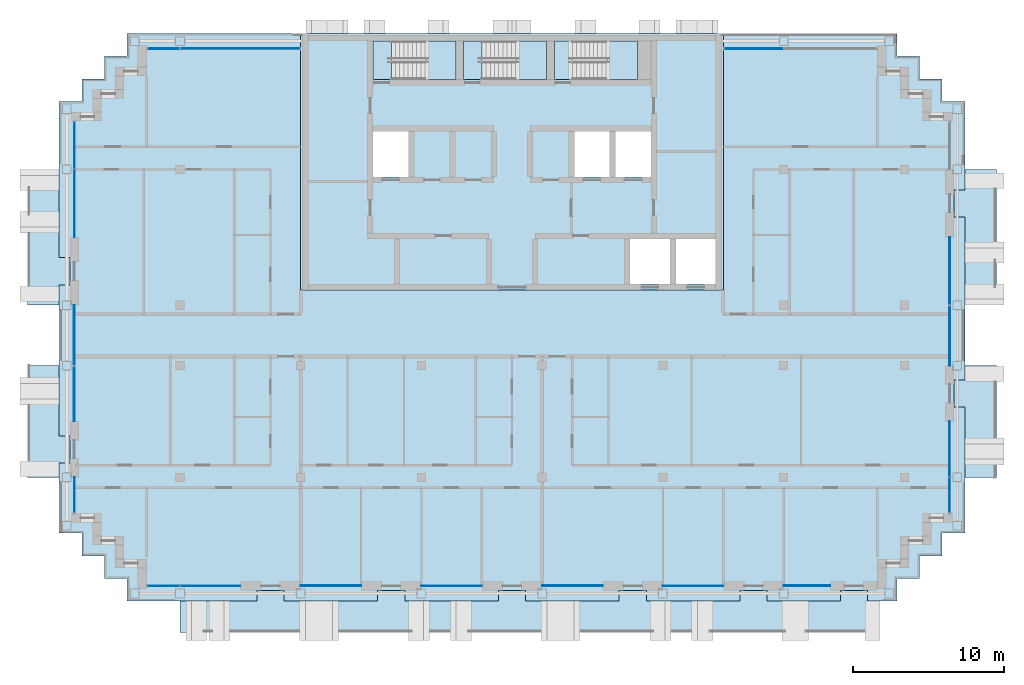
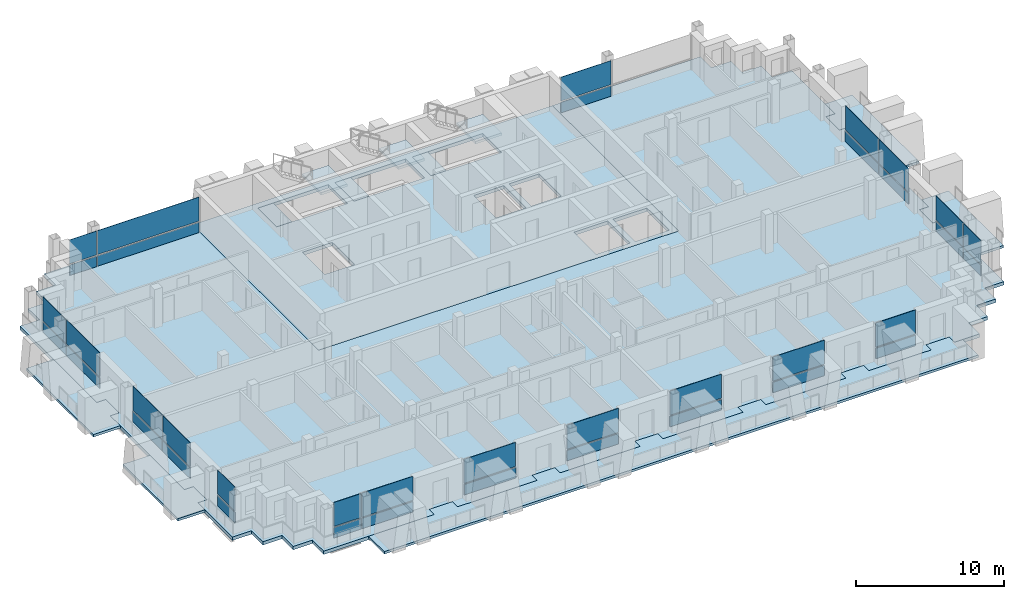
# One storey, part 6 of 15: 38 plates, 13 slabs, 16 elements without a shape of their own.
"""IFC4 building model written with IfcOpenShell, lengths in metres."""

from ifc_helpers import new_model, si_unit, direction, frame, origin, origin_2d, place, context, subcontext, project, spatial, polyline, rectangle, outline, extrude, material, layer, layer_set, type_object, element, aggregate, save


model = new_model("IFC4")

# Units and contexts
model_context = context("Model", 3, precision=1e-05, world=origin(), true_north=direction((0.0, 1.0)))
body_context = subcontext(model_context, "Body", "Model", "MODEL_VIEW")
ifc_project = project(units=[si_unit("LENGTHUNIT", "METRE"), si_unit("AREAUNIT", "SQUARE_METRE"), si_unit("VOLUMEUNIT", "CUBIC_METRE"), si_unit("PLANEANGLEUNIT", "RADIAN"), si_unit("MASSUNIT", "GRAM", prefix="KILO")], contexts=[model_context])

# Site, building, storey
site_placement = place(None, origin())
site = spatial("IfcSite", under=ifc_project, at=site_placement, CompositionType="ELEMENT")
building_placement = place(site_placement, origin())
building = spatial("IfcBuilding", under=site, at=building_placement, Name="Vidyagriha Tower", CompositionType="ELEMENT")
storey_placement = place(building_placement, frame((0.0, 0.0, 233.199951171875)))
storey = spatial("IfcBuildingStorey", under=building, at=storey_placement, Name="L61", CompositionType="ELEMENT", Elevation=233.199951171875)

# Curtain wall, plate
ifc_material_1 = material(Name="Aluminium and glass curtain wall", Category="aluminium")
curtain_wall_type = type_object("IfcCurtainWallType", Name="Dwelling skin unitised curtain wall", PredefinedType="USERDEFINED", material=ifc_material_1)
curtain_wall_1_placement = place(storey_placement, origin())
curtain_wall_1 = element("IfcCurtainWall", 1, at=curtain_wall_1_placement, inside=storey, type_object=curtain_wall_type, Name="CW1 dwelling skin", ObjectType="UNITISED", PredefinedType="USERDEFINED")
ifc_material_2 = material(Name="Glass dark ceramic-fritted spandrel", Category="glass")
ifc_layer_1 = layer(ifc_material_2, 0.0400390625)
ifc_layer_set_1 = layer_set([ifc_layer_1], Name="Glass dark ceramic-fritted spandrel")
plate_type_1 = type_object("IfcPlateType", Name="Ceramic-fritted spandrel panel", PredefinedType="CURTAIN_PANEL", material=ifc_layer_set_1)
plate_1_placement = place(storey_placement, frame((-18.017578125, 19.0, 0.0), z_axis=(0.0, 0.0, 1.0), x_axis=(-1.0, 0.0, 0.0)))
plate_1 = element("IfcPlate", 2, at=plate_1_placement, type_object=plate_type_1, Name="CW1 panel 1.1", PredefinedType="CURTAIN_PANEL", context=body_context, shape_type="SweptSolid", body=[
    extrude(rectangle(XDim=7.89501953125, YDim=0.0400390625, at=origin_2d()), origin(), (0.0, 0.0, 1.0), 0.85009765625),
])

# Curtain wall, plates
curtain_wall_2_placement = place(storey_placement, origin())
curtain_wall_2 = element("IfcCurtainWall", 3, at=curtain_wall_2_placement, inside=storey, type_object=curtain_wall_type, Name="CW1 dwelling skin", ObjectType="UNITISED", PredefinedType="USERDEFINED")
plate_2_placement = place(storey_placement, frame((-29.0, 12.58251953125, 0.0), z_axis=(0.0, 0.0, 1.0), x_axis=(0.0, -1.0, 0.0)))
plate_2 = element("IfcPlate", 4, at=plate_2_placement, type_object=plate_type_1, Name="CW1 panel 1.1", PredefinedType="CURTAIN_PANEL", context=body_context, shape_type="SweptSolid", body=[
    extrude(rectangle(XDim=3.094970703125, YDim=0.0400390625, at=origin_2d()), origin(), (0.0, 0.0, 1.0), 0.85009765625),
])
plate_3_placement = place(storey_placement, frame((-29.0, 8.732421875, 0.0), z_axis=(0.0, 0.0, 1.0), x_axis=(0.0, -1.0, 0.0)))
plate_3 = element("IfcPlate", 5, at=plate_3_placement, type_object=plate_type_1, Name="CW1 panel 2.1", PredefinedType="CURTAIN_PANEL", context=body_context, shape_type="SweptSolid", body=[
    extrude(rectangle(XDim=4.465087890625, YDim=0.0400390625, at=origin_2d()), origin(), (0.0, 0.0, 1.0), 0.85009765625),
])

# Curtain wall, plate
curtain_wall_3_placement = place(storey_placement, origin())
curtain_wall_3 = element("IfcCurtainWall", 6, at=curtain_wall_3_placement, inside=storey, type_object=curtain_wall_type, Name="CW1 dwelling skin", ObjectType="UNITISED", PredefinedType="USERDEFINED")
plate_4_placement = place(storey_placement, frame((-29.0, -10.56494140625, 0.0), z_axis=(0.0, 0.0, 1.0), x_axis=(0.0, -1.0, 0.0)))
plate_4 = element("IfcPlate", 7, at=plate_4_placement, type_object=plate_type_1, Name="CW1 panel 1.1", PredefinedType="CURTAIN_PANEL", context=body_context, shape_type="SweptSolid", body=[
    extrude(rectangle(XDim=2.330078125, YDim=0.0400390625, at=origin_2d()), origin(), (0.0, 0.0, 1.0), 0.85009765625),
])

# Curtain wall, plates
curtain_wall_4_placement = place(storey_placement, origin())
curtain_wall_4 = element("IfcCurtainWall", 8, at=curtain_wall_4_placement, inside=storey, type_object=curtain_wall_type, Name="CW1 dwelling skin", ObjectType="UNITISED", PredefinedType="USERDEFINED")
plate_5_placement = place(storey_placement, frame((-23.08251953125, -16.60009765625, 0.0)))
plate_5 = element("IfcPlate", 9, at=plate_5_placement, type_object=plate_type_1, Name="CW1 panel 1.1", PredefinedType="CURTAIN_PANEL", context=body_context, shape_type="SweptSolid", body=[
    extrude(rectangle(XDim=2.094970703125, YDim=0.0400390625, at=origin_2d()), origin(), (0.0, 0.0, 1.0), 0.85009765625),
])
plate_6_placement = place(storey_placement, frame((-19.982421875, -16.60009765625, 0.0)))
plate_6 = element("IfcPlate", 10, at=plate_6_placement, type_object=plate_type_1, Name="CW1 panel 2.1", PredefinedType="CURTAIN_PANEL", context=body_context, shape_type="SweptSolid", body=[
    extrude(rectangle(XDim=3.965087890625, YDim=0.0400390625, at=origin_2d()), origin(), (0.0, 0.0, 1.0), 0.85009765625),
])

# Curtain wall, plate
curtain_wall_5_placement = place(storey_placement, origin())
curtain_wall_5 = element("IfcCurtainWall", 11, at=curtain_wall_5_placement, inside=storey, type_object=curtain_wall_type, Name="CW1 dwelling skin", ObjectType="UNITISED", PredefinedType="USERDEFINED")
plate_7_placement = place(storey_placement, frame((-4.0, -16.60009765625, 0.0)))
plate_7 = element("IfcPlate", 12, at=plate_7_placement, type_object=plate_type_1, Name="CW1 panel 1.1", PredefinedType="CURTAIN_PANEL", context=body_context, shape_type="SweptSolid", body=[
    extrude(rectangle(XDim=4.0, YDim=0.0400390625, at=origin_2d()), origin(), (0.0, 0.0, 1.0), 0.85009765625),
])

curtain_wall_6_placement = place(storey_placement, origin())
curtain_wall_6 = element("IfcCurtainWall", 13, at=curtain_wall_6_placement, inside=storey, type_object=curtain_wall_type, Name="CW1 dwelling skin", ObjectType="UNITISED", PredefinedType="USERDEFINED")
plate_8_placement = place(storey_placement, frame((12.0, -16.60009765625, 0.0)))
plate_8 = element("IfcPlate", 14, at=plate_8_placement, type_object=plate_type_1, Name="CW1 panel 1.1", PredefinedType="CURTAIN_PANEL", context=body_context, shape_type="SweptSolid", body=[
    extrude(rectangle(XDim=4.0, YDim=0.0400390625, at=origin_2d()), origin(), (0.0, 0.0, 1.0), 0.85009765625),
])

# Curtain wall, plates
curtain_wall_7_placement = place(storey_placement, origin())
curtain_wall_7 = element("IfcCurtainWall", 15, at=curtain_wall_7_placement, inside=storey, type_object=curtain_wall_type, Name="CW1 dwelling skin", ObjectType="UNITISED", PredefinedType="USERDEFINED")
plate_9_placement = place(storey_placement, frame((29.0, -10.58251953125, 0.0), z_axis=(0.0, 0.0, 1.0), x_axis=(0.0, 1.0, 0.0)))
plate_9 = element("IfcPlate", 16, at=plate_9_placement, type_object=plate_type_1, Name="CW1 panel 1.1", PredefinedType="CURTAIN_PANEL", context=body_context, shape_type="SweptSolid", body=[
    extrude(rectangle(XDim=2.294921875, YDim=0.0400390625, at=origin_2d()), origin(), (0.0, 0.0, 1.0), 0.85009765625),
])
plate_10_placement = place(storey_placement, frame((29.0, -7.532470703125, 0.0), z_axis=(0.0, 0.0, 1.0), x_axis=(0.0, 1.0, 0.0)))
plate_10 = element("IfcPlate", 17, at=plate_10_placement, type_object=plate_type_1, Name="CW1 panel 2.1", PredefinedType="CURTAIN_PANEL", context=body_context, shape_type="SweptSolid", body=[
    extrude(rectangle(XDim=3.6650390625, YDim=0.0400390625, at=origin_2d()), origin(), (0.0, 0.0, 1.0), 0.85009765625),
])

# Slab
ifc_material_3 = material(Name="Concrete C60/75", Category="concrete")
ifc_layer_2 = layer(ifc_material_3, 0.280029296875)
ifc_layer_set_2 = layer_set([ifc_layer_2], Name="Concrete C60/75")
slab_type_1 = type_object("IfcSlabType", Name="Core floor slab 280 mm", PredefinedType="FLOOR", material=ifc_layer_set_2)
slab_1_placement = place(storey_placement, frame((0.0, 0.0, -0.280029296875)))
element("IfcSlab", 18, at=slab_1_placement, inside=storey, type_object=slab_type_1, Name="L61 core floor 1", PredefinedType="FLOOR", context=body_context, shape_type="SweptSolid", body=[
    extrude(outline(polyline([(-14.0, 3.0), (-14.0, 20.0), (14.0, 20.0), (14.0, 3.0), (-14.0, 3.0)]), holes=[polyline([(13.5, 6.39990234375), (10.855712890625, 6.39990234375), (10.855712890625, 3.39990234375), (13.5, 3.39990234375), (13.5, 6.39990234375)]), polyline([(10.45556640625, 6.39990234375), (7.81103515625, 6.39990234375), (7.81103515625, 3.39990234375), (10.45556640625, 3.39990234375), (10.45556640625, 6.39990234375)]), polyline([(9.199951171875, 13.5), (6.86669921875, 13.5), (6.86669921875, 10.5), (9.199951171875, 10.5), (9.199951171875, 13.5)]), polyline([(2.800048828125, 19.5), (2.800048828125, 16.949951171875), (4.0, 16.949951171875), (8.300048828125, 16.949951171875), (8.300048828125, 19.5), (4.0, 19.5), (2.800048828125, 19.5)]), polyline([(4.13330078125, 13.5), (4.13330078125, 10.5), (6.466796875, 10.5), (6.466796875, 13.5), (4.13330078125, 13.5)]), polyline([(-2.0, 19.5), (-3.199951171875, 19.5), (-3.199951171875, 16.949951171875), (-2.0, 16.949951171875), (2.300048828125, 16.949951171875), (2.300048828125, 19.5), (-2.0, 19.5)]), polyline([(-9.199951171875, 19.5), (-9.199951171875, 16.949951171875), (-8.0, 16.949951171875), (-3.699951171875, 16.949951171875), (-3.699951171875, 19.5), (-8.0, 19.5), (-9.199951171875, 19.5)]), polyline([(-9.199951171875, 13.5), (-9.199951171875, 10.5), (-6.86669921875, 10.5), (-6.86669921875, 13.5), (-9.199951171875, 13.5)])]), origin(), (0.0, 0.0, 1.0), 0.280029296875),
])

# Curtain wall, plate
curtain_wall_8_placement = place(storey_placement, origin())
curtain_wall_8 = element("IfcCurtainWall", 19, at=curtain_wall_8_placement, inside=storey, type_object=curtain_wall_type, Name="CW1 dwelling skin", ObjectType="UNITISED", PredefinedType="USERDEFINED")
ifc_material_4 = material(Name="Glass dark ceramic-fritted", Category="glass")
ifc_layer_3 = layer(ifc_material_4, 0.028076171875)
ifc_layer_set_3 = layer_set([ifc_layer_3], Name="Glass dark ceramic-fritted")
plate_type_2 = type_object("IfcPlateType", Name="Dark ceramic-fritted vision glass panel", PredefinedType="CURTAIN_PANEL", material=ifc_layer_set_3)
plate_11_placement = place(storey_placement, frame((16.017578125, 19.0, 0.9501953125), z_axis=(0.0, 0.0, 1.0), x_axis=(-1.0, 0.0, 0.0)))
plate_11 = element("IfcPlate", 20, at=plate_11_placement, type_object=plate_type_2, Name="CW1 panel 2.2", PredefinedType="CURTAIN_PANEL", context=body_context, shape_type="SweptSolid", body=[
    extrude(rectangle(XDim=3.89501953125, YDim=0.028076171875, at=origin_2d()), origin(), (0.0, 0.0, 1.0), 1.969970703125),
])

# Plate
plate_12_placement = place(storey_placement, frame((-18.017578125, 19.0, 0.9501953125), z_axis=(0.0, 0.0, 1.0), x_axis=(-1.0, 0.0, 0.0)))
plate_12 = element("IfcPlate", 21, at=plate_12_placement, type_object=plate_type_2, Name="CW1 panel 1.2", PredefinedType="CURTAIN_PANEL", context=body_context, shape_type="SweptSolid", body=[
    extrude(rectangle(XDim=7.89501953125, YDim=0.028076171875, at=origin_2d()), origin(), (0.0, 0.0, 1.0), 1.969970703125),
])

plate_13_placement = place(storey_placement, frame((-23.08251953125, 19.0, 0.9501953125), z_axis=(0.0, 0.0, 1.0), x_axis=(-1.0, 0.0, 0.0)))
plate_13 = element("IfcPlate", 22, at=plate_13_placement, type_object=plate_type_2, Name="CW1 panel 2.2", PredefinedType="CURTAIN_PANEL", context=body_context, shape_type="SweptSolid", body=[
    extrude(rectangle(XDim=2.094970703125, YDim=0.028076171875, at=origin_2d()), origin(), (0.0, 0.0, 1.0), 1.969970703125),
])

plate_14_placement = place(storey_placement, frame((-29.0, 12.58251953125, 0.9501953125), z_axis=(0.0, 0.0, 1.0), x_axis=(0.0, -1.0, 0.0)))
plate_14 = element("IfcPlate", 23, at=plate_14_placement, type_object=plate_type_2, Name="CW1 panel 1.2", PredefinedType="CURTAIN_PANEL", context=body_context, shape_type="SweptSolid", body=[
    extrude(rectangle(XDim=3.094970703125, YDim=0.028076171875, at=origin_2d()), origin(), (0.0, 0.0, 1.0), 1.969970703125),
])

plate_15_placement = place(storey_placement, frame((-29.0, 8.732421875, 0.9501953125), z_axis=(0.0, 0.0, 1.0), x_axis=(0.0, -1.0, 0.0)))
plate_15 = element("IfcPlate", 24, at=plate_15_placement, type_object=plate_type_2, Name="CW1 panel 2.2", PredefinedType="CURTAIN_PANEL", context=body_context, shape_type="SweptSolid", body=[
    extrude(rectangle(XDim=4.465087890625, YDim=0.028076171875, at=origin_2d()), origin(), (0.0, 0.0, 1.0), 1.969970703125),
])

aggregate(curtain_wall_2, [plate_2, plate_14, plate_3, plate_15])

# Curtain wall, plates
curtain_wall_9_placement = place(storey_placement, origin())
curtain_wall_9 = element("IfcCurtainWall", 25, at=curtain_wall_9_placement, inside=storey, type_object=curtain_wall_type, Name="CW1 dwelling skin", ObjectType="UNITISED", PredefinedType="USERDEFINED")
plate_16_placement = place(storey_placement, frame((-29.0, 0.017578125, 0.9501953125), z_axis=(0.0, 0.0, 1.0), x_axis=(0.0, -1.0, 0.0)))
plate_16 = element("IfcPlate", 26, at=plate_16_placement, type_object=plate_type_2, Name="CW1 panel 1.2", PredefinedType="CURTAIN_PANEL", context=body_context, shape_type="SweptSolid", body=[
    extrude(rectangle(XDim=3.965087890625, YDim=0.028076171875, at=origin_2d()), origin(), (0.0, 0.0, 1.0), 1.969970703125),
])
plate_17_placement = place(storey_placement, frame((-29.0, -3.867431640625, 0.9501953125), z_axis=(0.0, 0.0, 1.0), x_axis=(0.0, -1.0, 0.0)))
plate_17 = element("IfcPlate", 27, at=plate_17_placement, type_object=plate_type_2, Name="CW1 panel 2.2", PredefinedType="CURTAIN_PANEL", context=body_context, shape_type="SweptSolid", body=[
    extrude(rectangle(XDim=3.6650390625, YDim=0.028076171875, at=origin_2d()), origin(), (0.0, 0.0, 1.0), 1.969970703125),
])

# Plate
plate_18_placement = place(storey_placement, frame((-29.0, -10.56494140625, 0.9501953125), z_axis=(0.0, 0.0, 1.0), x_axis=(0.0, -1.0, 0.0)))
plate_18 = element("IfcPlate", 28, at=plate_18_placement, type_object=plate_type_2, Name="CW1 panel 1.2", PredefinedType="CURTAIN_PANEL", context=body_context, shape_type="SweptSolid", body=[
    extrude(rectangle(XDim=2.330078125, YDim=0.028076171875, at=origin_2d()), origin(), (0.0, 0.0, 1.0), 1.969970703125),
])

aggregate(curtain_wall_3, [plate_4, plate_18])

plate_19_placement = place(storey_placement, frame((-23.08251953125, -16.60009765625, 0.9501953125)))
plate_19 = element("IfcPlate", 29, at=plate_19_placement, type_object=plate_type_2, Name="CW1 panel 1.2", PredefinedType="CURTAIN_PANEL", context=body_context, shape_type="SweptSolid", body=[
    extrude(rectangle(XDim=2.094970703125, YDim=0.028076171875, at=origin_2d()), origin(), (0.0, 0.0, 1.0), 1.969970703125),
])

plate_20_placement = place(storey_placement, frame((-19.982421875, -16.60009765625, 0.9501953125)))
plate_20 = element("IfcPlate", 30, at=plate_20_placement, type_object=plate_type_2, Name="CW1 panel 2.2", PredefinedType="CURTAIN_PANEL", context=body_context, shape_type="SweptSolid", body=[
    extrude(rectangle(XDim=3.965087890625, YDim=0.028076171875, at=origin_2d()), origin(), (0.0, 0.0, 1.0), 1.969970703125),
])

aggregate(curtain_wall_4, [plate_5, plate_19, plate_6, plate_20])

# Curtain wall, plate
curtain_wall_10_placement = place(storey_placement, origin())
curtain_wall_10 = element("IfcCurtainWall", 31, at=curtain_wall_10_placement, inside=storey, type_object=curtain_wall_type, Name="CW1 dwelling skin", ObjectType="UNITISED", PredefinedType="USERDEFINED")
plate_21_placement = place(storey_placement, frame((-12.0, -16.60009765625, 0.9501953125)))
plate_21 = element("IfcPlate", 32, at=plate_21_placement, type_object=plate_type_2, Name="CW1 panel 1.2", PredefinedType="CURTAIN_PANEL", context=body_context, shape_type="SweptSolid", body=[
    extrude(rectangle(XDim=4.0, YDim=0.028076171875, at=origin_2d()), origin(), (0.0, 0.0, 1.0), 1.969970703125),
])

# Plate
plate_22_placement = place(storey_placement, frame((-4.0, -16.60009765625, 0.9501953125)))
plate_22 = element("IfcPlate", 33, at=plate_22_placement, type_object=plate_type_2, Name="CW1 panel 1.2", PredefinedType="CURTAIN_PANEL", context=body_context, shape_type="SweptSolid", body=[
    extrude(rectangle(XDim=4.0, YDim=0.028076171875, at=origin_2d()), origin(), (0.0, 0.0, 1.0), 1.969970703125),
])

aggregate(curtain_wall_5, [plate_7, plate_22])

# Curtain wall, plate
curtain_wall_11_placement = place(storey_placement, origin())
curtain_wall_11 = element("IfcCurtainWall", 34, at=curtain_wall_11_placement, inside=storey, type_object=curtain_wall_type, Name="CW1 dwelling skin", ObjectType="UNITISED", PredefinedType="USERDEFINED")
plate_23_placement = place(storey_placement, frame((4.0, -16.60009765625, 0.9501953125)))
plate_23 = element("IfcPlate", 35, at=plate_23_placement, type_object=plate_type_2, Name="CW1 panel 1.2", PredefinedType="CURTAIN_PANEL", context=body_context, shape_type="SweptSolid", body=[
    extrude(rectangle(XDim=4.0, YDim=0.028076171875, at=origin_2d()), origin(), (0.0, 0.0, 1.0), 1.969970703125),
])

# Plate
plate_24_placement = place(storey_placement, frame((12.0, -16.60009765625, 0.9501953125)))
plate_24 = element("IfcPlate", 36, at=plate_24_placement, type_object=plate_type_2, Name="CW1 panel 1.2", PredefinedType="CURTAIN_PANEL", context=body_context, shape_type="SweptSolid", body=[
    extrude(rectangle(XDim=4.0, YDim=0.028076171875, at=origin_2d()), origin(), (0.0, 0.0, 1.0), 1.969970703125),
])

aggregate(curtain_wall_6, [plate_8, plate_24])

# Curtain wall, plate
curtain_wall_12_placement = place(storey_placement, origin())
curtain_wall_12 = element("IfcCurtainWall", 37, at=curtain_wall_12_placement, inside=storey, type_object=curtain_wall_type, Name="CW1 dwelling skin", ObjectType="UNITISED", PredefinedType="USERDEFINED")
plate_25_placement = place(storey_placement, frame((19.550048828125, -16.60009765625, 0.9501953125)))
plate_25 = element("IfcPlate", 38, at=plate_25_placement, type_object=plate_type_2, Name="CW1 panel 1.2", PredefinedType="CURTAIN_PANEL", context=body_context, shape_type="SweptSolid", body=[
    extrude(rectangle(XDim=3.10009765625, YDim=0.028076171875, at=origin_2d()), origin(), (0.0, 0.0, 1.0), 1.969970703125),
])

# Plate
plate_26_placement = place(storey_placement, frame((29.0, -10.58251953125, 0.9501953125), z_axis=(0.0, 0.0, 1.0), x_axis=(0.0, 1.0, 0.0)))
plate_26 = element("IfcPlate", 39, at=plate_26_placement, type_object=plate_type_2, Name="CW1 panel 1.2", PredefinedType="CURTAIN_PANEL", context=body_context, shape_type="SweptSolid", body=[
    extrude(rectangle(XDim=2.294921875, YDim=0.028076171875, at=origin_2d()), origin(), (0.0, 0.0, 1.0), 1.969970703125),
])

plate_27_placement = place(storey_placement, frame((29.0, -7.532470703125, 0.9501953125), z_axis=(0.0, 0.0, 1.0), x_axis=(0.0, 1.0, 0.0)))
plate_27 = element("IfcPlate", 40, at=plate_27_placement, type_object=plate_type_2, Name="CW1 panel 2.2", PredefinedType="CURTAIN_PANEL", context=body_context, shape_type="SweptSolid", body=[
    extrude(rectangle(XDim=3.6650390625, YDim=0.028076171875, at=origin_2d()), origin(), (0.0, 0.0, 1.0), 1.969970703125),
])

aggregate(curtain_wall_7, [plate_9, plate_26, plate_10, plate_27])

# Curtain wall, plates
curtain_wall_13_placement = place(storey_placement, origin())
curtain_wall_13 = element("IfcCurtainWall", 41, at=curtain_wall_13_placement, inside=storey, type_object=curtain_wall_type, Name="CW1 dwelling skin", ObjectType="UNITISED", PredefinedType="USERDEFINED")
plate_28_placement = place(storey_placement, frame((29.0, -0.017578125, 0.9501953125), z_axis=(0.0, 0.0, 1.0), x_axis=(0.0, 1.0, 0.0)))
plate_28 = element("IfcPlate", 42, at=plate_28_placement, type_object=plate_type_2, Name="CW1 panel 1.2", PredefinedType="CURTAIN_PANEL", context=body_context, shape_type="SweptSolid", body=[
    extrude(rectangle(XDim=3.965087890625, YDim=0.028076171875, at=origin_2d()), origin(), (0.0, 0.0, 1.0), 1.969970703125),
])
plate_29_placement = place(storey_placement, frame((29.0, 4.267578125, 0.9501953125), z_axis=(0.0, 0.0, 1.0), x_axis=(0.0, 1.0, 0.0)))
plate_29 = element("IfcPlate", 43, at=plate_29_placement, type_object=plate_type_2, Name="CW1 panel 2.2", PredefinedType="CURTAIN_PANEL", context=body_context, shape_type="SweptSolid", body=[
    extrude(rectangle(XDim=4.465087890625, YDim=0.028076171875, at=origin_2d()), origin(), (0.0, 0.0, 1.0), 1.969970703125),
])

# Slabs
ifc_material_5 = material(Name="Concrete C40/50", Category="concrete")
ifc_layer_4 = layer(ifc_material_5, 0.280029296875)
ifc_layer_set_4 = layer_set([ifc_layer_4], Name="Concrete C40/50")
slab_type_2 = type_object("IfcSlabType", Name="Exit stair floor landing 280 mm", PredefinedType="LANDING", material=ifc_layer_set_4)
slab_2_placement = place(storey_placement, frame((0.0, 0.0, -0.280029296875)))
element("IfcSlab", 44, at=slab_2_placement, inside=storey, type_object=slab_type_2, Name="ST1 floor landing L61", PredefinedType="LANDING", context=body_context, shape_type="SweptSolid", body=[
    extrude(outline(polyline([(-9.199951171875, 16.949951171875), (-8.0, 16.949951171875), (-8.0, 19.5), (-9.199951171875, 19.5), (-9.199951171875, 16.949951171875)])), origin(), (0.0, 0.0, 1.0), 0.280029296875),
])
slab_3_placement = place(storey_placement, frame((0.0, 0.0, -0.280029296875)))
element("IfcSlab", 45, at=slab_3_placement, inside=storey, type_object=slab_type_2, Name="ST2 floor landing L61", PredefinedType="LANDING", context=body_context, shape_type="SweptSolid", body=[
    extrude(outline(polyline([(-3.199951171875, 16.949951171875), (-2.0, 16.949951171875), (-2.0, 19.5), (-3.199951171875, 19.5), (-3.199951171875, 16.949951171875)])), origin(), (0.0, 0.0, 1.0), 0.280029296875),
])
slab_4_placement = place(storey_placement, frame((0.0, 0.0, -0.280029296875)))
element("IfcSlab", 46, at=slab_4_placement, inside=storey, type_object=slab_type_2, Name="ST3 floor landing L61", PredefinedType="LANDING", context=body_context, shape_type="SweptSolid", body=[
    extrude(outline(polyline([(2.800048828125, 16.949951171875), (4.0, 16.949951171875), (4.0, 19.5), (2.800048828125, 19.5), (2.800048828125, 16.949951171875)])), origin(), (0.0, 0.0, 1.0), 0.280029296875),
])

# Stair, slab
ifc_material_6 = material(Name="Concrete C40/50", Category="concrete")
stair_type = type_object("IfcStairType", Name="Exit stair, half-turn, precast flights", PredefinedType="HALF_TURN_STAIR", material=ifc_material_6)
stair_1_placement = place(storey_placement, origin())
stair_1 = element("IfcStair", 47, at=stair_1_placement, inside=storey, type_object=stair_type, Name="L61 Exit Stair ST1", PredefinedType="HALF_TURN_STAIR")
ifc_material_7 = material(Name="Concrete C40/50", Category="concrete")
ifc_layer_5 = layer(ifc_material_7, 0.199951171875)
ifc_layer_set_5 = layer_set([ifc_layer_5], Name="Concrete C40/50")
slab_type_3 = type_object("IfcSlabType", Name="Exit stair landing 200 mm", PredefinedType="LANDING", material=ifc_layer_set_5)
slab_5_placement = place(storey_placement, frame((0.0, 0.0, 1.400146484375)))
slab_5 = element("IfcSlab", 48, at=slab_5_placement, type_object=slab_type_3, Name="ST1 landing 1", PredefinedType="LANDING", context=body_context, shape_type="SweptSolid", body=[
    extrude(outline(polyline([(-5.760009765625, 16.949951171875), (-3.699951171875, 16.949951171875), (-3.699951171875, 19.5), (-5.760009765625, 19.5), (-5.760009765625, 16.949951171875)])), origin(), (0.0, 0.0, 1.0), 0.199951171875),
])
aggregate(stair_1, [slab_5])

stair_2_placement = place(storey_placement, origin())
stair_2 = element("IfcStair", 49, at=stair_2_placement, inside=storey, type_object=stair_type, Name="L61 Exit Stair ST2", PredefinedType="HALF_TURN_STAIR")
slab_6_placement = place(storey_placement, frame((0.0, 0.0, 1.400146484375)))
slab_6 = element("IfcSlab", 50, at=slab_6_placement, type_object=slab_type_3, Name="ST2 landing 1", PredefinedType="LANDING", context=body_context, shape_type="SweptSolid", body=[
    extrude(outline(polyline([(0.239990234375, 16.949951171875), (2.300048828125, 16.949951171875), (2.300048828125, 19.5), (0.239990234375, 19.5), (0.239990234375, 16.949951171875)])), origin(), (0.0, 0.0, 1.0), 0.199951171875),
])
aggregate(stair_2, [slab_6])

stair_3_placement = place(storey_placement, origin())
stair_3 = element("IfcStair", 51, at=stair_3_placement, inside=storey, type_object=stair_type, Name="L61 Exit Stair ST3", PredefinedType="HALF_TURN_STAIR")
slab_7_placement = place(storey_placement, frame((0.0, 0.0, 1.400146484375)))
slab_7 = element("IfcSlab", 52, at=slab_7_placement, type_object=slab_type_3, Name="ST3 landing 1", PredefinedType="LANDING", context=body_context, shape_type="SweptSolid", body=[
    extrude(outline(polyline([(6.239990234375, 16.949951171875), (8.300048828125, 16.949951171875), (8.300048828125, 19.5), (6.239990234375, 19.5), (6.239990234375, 16.949951171875)])), origin(), (0.0, 0.0, 1.0), 0.199951171875),
])
aggregate(stair_3, [slab_7])

# Plate
ifc_material_8 = material(Name="Aluminium black anodised", Category="aluminium")
ifc_layer_6 = layer(ifc_material_8, 0.06005859375)
ifc_layer_set_6 = layer_set([ifc_layer_6], Name="Aluminium black anodised")
plate_type_3 = type_object("IfcPlateType", Name="Operable black-metal vent panel", PredefinedType="CURTAIN_PANEL", material=ifc_layer_set_6)
plate_30_placement = place(storey_placement, frame((16.017578125, 19.0, 0.0), z_axis=(0.0, 0.0, 1.0), x_axis=(-1.0, 0.0, 0.0)))
plate_30 = element("IfcPlate", 53, at=plate_30_placement, type_object=plate_type_3, Name="CW1 panel 2.1", PredefinedType="CURTAIN_PANEL", context=body_context, shape_type="SweptSolid", body=[
    extrude(rectangle(XDim=3.89501953125, YDim=0.06005859375, at=origin_2d()), origin(), (0.0, 0.0, 1.0), 0.85009765625),
])

aggregate(curtain_wall_8, [plate_30, plate_11])

plate_31_placement = place(storey_placement, frame((-23.08251953125, 19.0, 0.0), z_axis=(0.0, 0.0, 1.0), x_axis=(-1.0, 0.0, 0.0)))
plate_31 = element("IfcPlate", 54, at=plate_31_placement, type_object=plate_type_3, Name="CW1 panel 2.1", PredefinedType="CURTAIN_PANEL", context=body_context, shape_type="SweptSolid", body=[
    extrude(rectangle(XDim=2.094970703125, YDim=0.06005859375, at=origin_2d()), origin(), (0.0, 0.0, 1.0), 0.85009765625),
])

aggregate(curtain_wall_1, [plate_1, plate_12, plate_31, plate_13])

plate_32_placement = place(storey_placement, frame((-29.0, 0.017578125, 0.0), z_axis=(0.0, 0.0, 1.0), x_axis=(0.0, -1.0, 0.0)))
plate_32 = element("IfcPlate", 55, at=plate_32_placement, type_object=plate_type_3, Name="CW1 panel 1.1", PredefinedType="CURTAIN_PANEL", context=body_context, shape_type="SweptSolid", body=[
    extrude(rectangle(XDim=3.965087890625, YDim=0.06005859375, at=origin_2d()), origin(), (0.0, 0.0, 1.0), 0.85009765625),
])

plate_33_placement = place(storey_placement, frame((-29.0, -3.867431640625, 0.0), z_axis=(0.0, 0.0, 1.0), x_axis=(0.0, -1.0, 0.0)))
plate_33 = element("IfcPlate", 56, at=plate_33_placement, type_object=plate_type_3, Name="CW1 panel 2.1", PredefinedType="CURTAIN_PANEL", context=body_context, shape_type="SweptSolid", body=[
    extrude(rectangle(XDim=3.6650390625, YDim=0.06005859375, at=origin_2d()), origin(), (0.0, 0.0, 1.0), 0.85009765625),
])

aggregate(curtain_wall_9, [plate_32, plate_16, plate_33, plate_17])

plate_34_placement = place(storey_placement, frame((-12.0, -16.60009765625, 0.0)))
plate_34 = element("IfcPlate", 57, at=plate_34_placement, type_object=plate_type_3, Name="CW1 panel 1.1", PredefinedType="CURTAIN_PANEL", context=body_context, shape_type="SweptSolid", body=[
    extrude(rectangle(XDim=4.0, YDim=0.06005859375, at=origin_2d()), origin(), (0.0, 0.0, 1.0), 0.85009765625),
])

aggregate(curtain_wall_10, [plate_34, plate_21])

plate_35_placement = place(storey_placement, frame((4.0, -16.60009765625, 0.0)))
plate_35 = element("IfcPlate", 58, at=plate_35_placement, type_object=plate_type_3, Name="CW1 panel 1.1", PredefinedType="CURTAIN_PANEL", context=body_context, shape_type="SweptSolid", body=[
    extrude(rectangle(XDim=4.0, YDim=0.06005859375, at=origin_2d()), origin(), (0.0, 0.0, 1.0), 0.85009765625),
])

aggregate(curtain_wall_11, [plate_35, plate_23])

plate_36_placement = place(storey_placement, frame((19.550048828125, -16.60009765625, 0.0)))
plate_36 = element("IfcPlate", 59, at=plate_36_placement, type_object=plate_type_3, Name="CW1 panel 1.1", PredefinedType="CURTAIN_PANEL", context=body_context, shape_type="SweptSolid", body=[
    extrude(rectangle(XDim=3.10009765625, YDim=0.06005859375, at=origin_2d()), origin(), (0.0, 0.0, 1.0), 0.85009765625),
])

aggregate(curtain_wall_12, [plate_36, plate_25])

plate_37_placement = place(storey_placement, frame((29.0, -0.017578125, 0.0), z_axis=(0.0, 0.0, 1.0), x_axis=(0.0, 1.0, 0.0)))
plate_37 = element("IfcPlate", 60, at=plate_37_placement, type_object=plate_type_3, Name="CW1 panel 1.1", PredefinedType="CURTAIN_PANEL", context=body_context, shape_type="SweptSolid", body=[
    extrude(rectangle(XDim=3.965087890625, YDim=0.06005859375, at=origin_2d()), origin(), (0.0, 0.0, 1.0), 0.85009765625),
])

plate_38_placement = place(storey_placement, frame((29.0, 4.267578125, 0.0), z_axis=(0.0, 0.0, 1.0), x_axis=(0.0, 1.0, 0.0)))
plate_38 = element("IfcPlate", 61, at=plate_38_placement, type_object=plate_type_3, Name="CW1 panel 2.1", PredefinedType="CURTAIN_PANEL", context=body_context, shape_type="SweptSolid", body=[
    extrude(rectangle(XDim=4.465087890625, YDim=0.06005859375, at=origin_2d()), origin(), (0.0, 0.0, 1.0), 0.85009765625),
])

aggregate(curtain_wall_13, [plate_37, plate_28, plate_38, plate_29])

# Slabs
ifc_material_9 = material(Name="Concrete C50/60", Category="concrete")
ifc_layer_7 = layer(ifc_material_9, 0.280029296875)
ifc_layer_set_7 = layer_set([ifc_layer_7], Name="Concrete C50/60")
slab_type_4 = type_object("IfcSlabType", Name="Post-tensioned flat plate 280", PredefinedType="FLOOR", material=ifc_layer_set_7)
slab_8_placement = place(storey_placement, frame((0.0, 0.0, -0.280029296875)))
element("IfcSlab", 62, at=slab_8_placement, inside=storey, type_object=slab_type_4, Name="st-slab-L61-1", PredefinedType="FLOOR", context=body_context, shape_type="SweptSolid", body=[
    extrude(outline(polyline([(28.5, -14.60009765625), (27.0, -14.60009765625), (27.0, -16.10009765625), (25.5, -16.10009765625), (25.5, -17.60009765625), (23.550048828125, -17.60009765625), (23.550048828125, -16.89990234375), (21.75, -16.89990234375), (21.75, -17.60009765625), (16.89990234375, -17.60009765625), (16.89990234375, -16.89990234375), (15.10009765625, -16.89990234375), (15.10009765625, -17.60009765625), (8.89990234375, -17.60009765625), (8.89990234375, -16.89990234375), (7.10009765625, -16.89990234375), (7.10009765625, -17.60009765625), (0.89990234375, -17.60009765625), (0.89990234375, -16.89990234375), (-0.89990234375, -16.89990234375), (-0.89990234375, -17.60009765625), (-7.10009765625, -17.60009765625), (-7.10009765625, -16.89990234375), (-8.89990234375, -16.89990234375), (-8.89990234375, -17.60009765625), (-15.10009765625, -17.60009765625), (-15.10009765625, -16.89990234375), (-16.89990234375, -16.89990234375), (-16.89990234375, -17.60009765625), (-25.5, -17.60009765625), (-25.5, -16.10009765625), (-27.0, -16.10009765625), (-27.0, -14.60009765625), (-28.5, -14.60009765625), (-28.5, -13.10009765625), (-30.0, -13.10009765625), (-30.0, -8.449951171875), (-29.300048828125, -8.449951171875), (-29.300048828125, -6.64990234375), (-30.0, -6.64990234375), (-30.0, 3.35009765625), (-29.300048828125, 3.35009765625), (-29.300048828125, 5.14990234375), (-30.0, 5.14990234375), (-30.0, 15.5), (-28.5, 15.5), (-28.5, 17.0), (-27.0, 17.0), (-27.0, 18.5), (-25.5, 18.5), (-25.5, 20.0), (-14.0, 20.0), (-14.0, 3.0), (14.0, 3.0), (14.0, 20.0), (25.5, 20.0), (25.5, 18.5), (27.0, 18.5), (27.0, 17.0), (28.5, 17.0), (28.5, 15.5), (30.0, 15.5), (30.0, 9.64990234375), (29.300048828125, 9.64990234375), (29.300048828125, 7.85009765625), (30.0, 7.85009765625), (30.0, -2.949951171875), (29.300048828125, -2.949951171875), (29.300048828125, -4.75), (30.0, -4.75), (30.0, -13.10009765625), (28.5, -13.10009765625), (28.5, -14.60009765625)])), origin(), (0.0, 0.0, 1.0), 0.280029296875),
])
ifc_material_10 = material(Name="Precast concrete C40/50", Category="concrete")
ifc_layer_8 = layer(ifc_material_10, 0.199951171875)
ifc_layer_set_8 = layer_set([ifc_layer_8], Name="Precast concrete C40/50")
slab_type_5 = type_object("IfcSlabType", Name="Precast balcony slab 200", PredefinedType="USERDEFINED", material=ifc_layer_set_8)
slab_9_placement = place(storey_placement, frame((0.0, 0.0, -0.199951171875)))
element("IfcSlab", 63, at=slab_9_placement, inside=storey, type_object=slab_type_5, Name="Balcony slab L61 R16.1-1", ObjectType="BALCONY", PredefinedType="USERDEFINED", context=body_context, shape_type="SweptSolid", body=[
    extrude(outline(polyline([(-29.300048828125, 3.35009765625), (-29.300048828125, 5.14990234375), (-30.0, 5.14990234375), (-30.0, 11.0), (-32.10009765625, 11.0), (-32.10009765625, 2.0), (-30.0, 2.0), (-30.0, 3.35009765625), (-29.300048828125, 3.35009765625)])), origin(), (0.0, 0.0, 1.0), 0.199951171875),
])
slab_10_placement = place(storey_placement, frame((0.0, 0.0, -0.199951171875)))
element("IfcSlab", 64, at=slab_10_placement, inside=storey, type_object=slab_type_5, Name="Balcony slab L61 R16.2-2", ObjectType="BALCONY", PredefinedType="USERDEFINED", context=body_context, shape_type="SweptSolid", body=[
    extrude(outline(polyline([(-29.300048828125, -8.449951171875), (-29.300048828125, -6.64990234375), (-30.0, -6.64990234375), (-30.0, -2.0), (-32.10009765625, -2.0), (-32.10009765625, -9.39990234375), (-30.0, -9.39990234375), (-30.0, -8.449951171875), (-29.300048828125, -8.449951171875)])), origin(), (0.0, 0.0, 1.0), 0.199951171875),
])
slab_11_placement = place(storey_placement, frame((0.0, 0.0, -0.199951171875)))
element("IfcSlab", 65, at=slab_11_placement, inside=storey, type_object=slab_type_5, Name="Balcony slab L61 R23.1-6", ObjectType="BALCONY", PredefinedType="USERDEFINED", context=body_context, shape_type="SweptSolid", body=[
    extrude(outline(polyline([(-16.89990234375, -16.89990234375), (-16.89990234375, -17.60009765625), (-22.0, -17.60009765625), (-22.0, -19.699951171875), (24.199951171875, -19.699951171875), (24.199951171875, -17.60009765625), (23.550048828125, -17.60009765625), (23.550048828125, -16.89990234375), (21.75, -16.89990234375), (21.75, -17.60009765625), (16.89990234375, -17.60009765625), (16.89990234375, -16.89990234375), (15.10009765625, -16.89990234375), (15.10009765625, -17.60009765625), (8.89990234375, -17.60009765625), (8.89990234375, -16.89990234375), (7.10009765625, -16.89990234375), (7.10009765625, -17.60009765625), (0.89990234375, -17.60009765625), (0.89990234375, -16.89990234375), (-0.89990234375, -16.89990234375), (-0.89990234375, -17.60009765625), (-7.10009765625, -17.60009765625), (-7.10009765625, -16.89990234375), (-8.89990234375, -16.89990234375), (-8.89990234375, -17.60009765625), (-15.10009765625, -17.60009765625), (-15.10009765625, -16.89990234375), (-16.89990234375, -16.89990234375)])), origin(), (0.0, 0.0, 1.0), 0.199951171875),
])
slab_12_placement = place(storey_placement, frame((0.0, 0.0, -0.199951171875)))
element("IfcSlab", 66, at=slab_12_placement, inside=storey, type_object=slab_type_5, Name="Balcony slab L61 R30.1-1", ObjectType="BALCONY", PredefinedType="USERDEFINED", context=body_context, shape_type="SweptSolid", body=[
    extrude(outline(polyline([(30.0, -4.75), (30.0, -9.39990234375), (32.10009765625, -9.39990234375), (32.10009765625, -2.0), (30.0, -2.0), (30.0, -2.949951171875), (29.300048828125, -2.949951171875), (29.300048828125, -4.75), (30.0, -4.75)])), origin(), (0.0, 0.0, 1.0), 0.199951171875),
])
slab_13_placement = place(storey_placement, frame((0.0, 0.0, -0.199951171875)))
element("IfcSlab", 67, at=slab_13_placement, inside=storey, type_object=slab_type_5, Name="Balcony slab L61 R30.2-2", ObjectType="BALCONY", PredefinedType="USERDEFINED", context=body_context, shape_type="SweptSolid", body=[
    extrude(outline(polyline([(30.0, 7.85009765625), (30.0, 2.0), (32.10009765625, 2.0), (32.10009765625, 11.0), (30.0, 11.0), (30.0, 9.64990234375), (29.300048828125, 9.64990234375), (29.300048828125, 7.85009765625), (30.0, 7.85009765625)])), origin(), (0.0, 0.0, 1.0), 0.199951171875),
])

save(model, "model.ifc")
